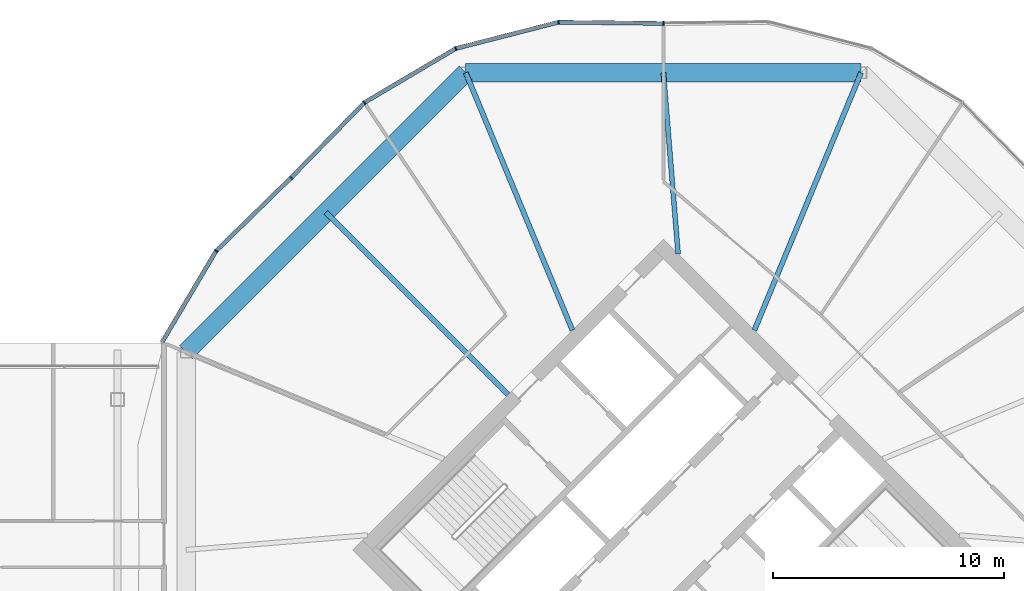
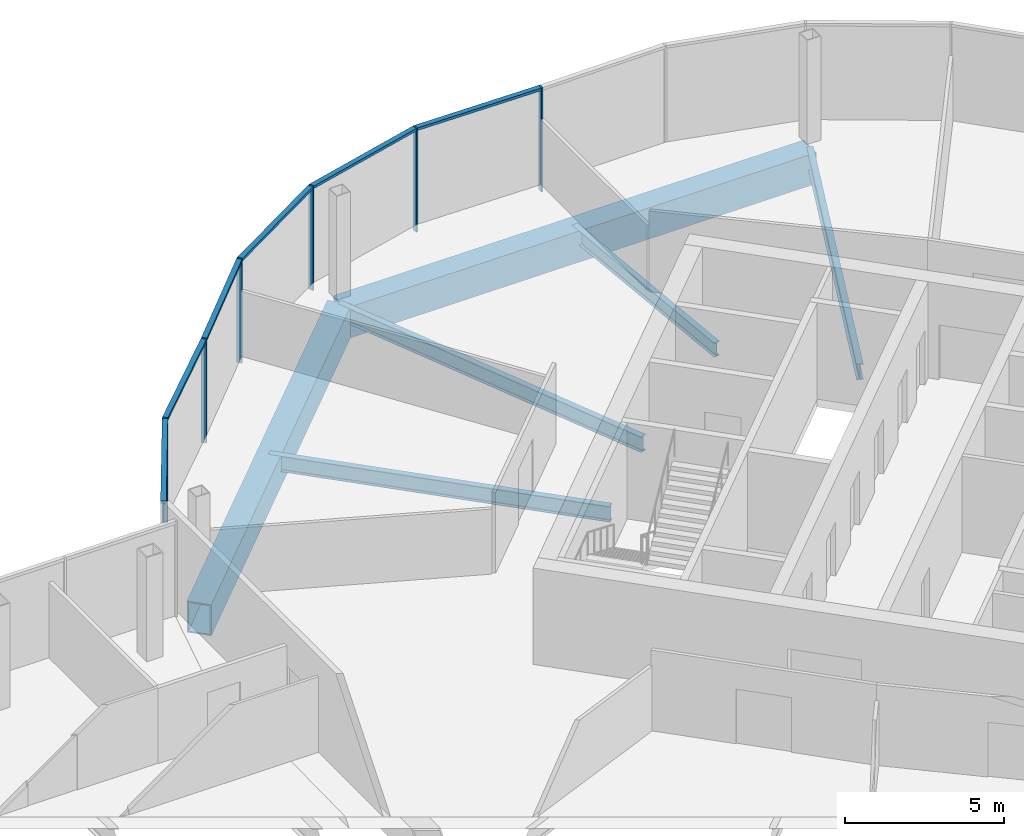
# One storey, part 15 of 25: 12 members, 6 beams, 3 elements without a shape of their own.
"""IFC4 building model written with IfcOpenShell, lengths in metres."""

from ifc_helpers import new_model, si_unit, direction, frame, origin, origin_2d, place, context, subcontext, project, spatial, rectangle, hollow_rectangle, i_section, extrude, material, material_profile, profile_set, type_object, element, aggregate, save


model = new_model("IFC4")

# Units and contexts
model_context = context("Model", 3, precision=1e-05, world=origin(), true_north=direction((0.0, 1.0)))
body_context = subcontext(model_context, "Body", "Model", "MODEL_VIEW")
ifc_project = project(units=[si_unit("LENGTHUNIT", "METRE"), si_unit("AREAUNIT", "SQUARE_METRE"), si_unit("VOLUMEUNIT", "CUBIC_METRE"), si_unit("PLANEANGLEUNIT", "RADIAN"), si_unit("MASSUNIT", "GRAM", prefix="KILO")], contexts=[model_context])

# Site, building, storey
site_placement = place(None, origin())
site = spatial("IfcSite", under=ifc_project, at=site_placement, CompositionType="ELEMENT")
building_placement = place(site_placement, origin())
building = spatial("IfcBuilding", under=site, at=building_placement, Name="Ogive Gate Towers", CompositionType="ELEMENT")
storey_placement = place(building_placement, frame((0.0, 0.0, 140.800048828125)))
storey = spatial("IfcBuildingStorey", under=building, at=storey_placement, Name="L33", CompositionType="ELEMENT", Elevation=140.800048828125)

# Beams
ifc_material_1 = material(Name="Steel SM460", Category="steel")
ifc_material_profile_1 = material_profile(ifc_material_1, hollow_rectangle(XDim=0.800048828125, YDim=1.199951171875, WallThickness=0.050048828125, at=origin_2d()), Name="BX 1200x800x50")
ifc_profile_set_1 = profile_set([ifc_material_profile_1], Name="Steel SM460")
beam_type_1 = type_object("IfcBeamType", Name="Edge girder BX 1200x800x50", PredefinedType="BEAM", material=ifc_profile_set_1)
beam_1_placement = place(storey_placement, frame((44.549072265625, 20.639404296875, -0.900146484375), z_axis=(-1.0, 0.0, 0.0), x_axis=(0.0, -1.0, 0.0)))
element("IfcBeam", 1, at=beam_1_placement, inside=storey, type_object=beam_type_1, Name="T2/L33/SBM022", PredefinedType="BEAM", context=body_context, shape_type="SweptSolid", body=[
    extrude(hollow_rectangle(XDim=0.800048828125, YDim=1.199951171875, WallThickness=0.050048828125, at=origin_2d()), origin(), (0.0, 0.0, 1.0), 17.09814453125),
])
beam_2_placement = place(storey_placement, frame((27.450927734375, 20.639404296875, -0.900146484375), z_axis=(-0.707106781187, -0.707106781187, 0.0), x_axis=(0.707106781187, -0.707106781187, 0.0)))
element("IfcBeam", 2, at=beam_2_placement, inside=storey, type_object=beam_type_1, Name="T2/L33/SBM023", PredefinedType="BEAM", context=body_context, shape_type="SweptSolid", body=[
    extrude(hollow_rectangle(XDim=0.800048828125, YDim=1.199951171875, WallThickness=0.050048828125, at=origin_2d()), origin(), (0.0, 0.0, 1.0), 17.098388671875),
])
ifc_material_2 = material(Name="Steel SM355", Category="steel")
ifc_material_profile_2 = material_profile(ifc_material_2, i_section(OverallWidth=0.2099609375, OverallDepth=0.550048828125, WebThickness=0.010986328125, FlangeThickness=0.01708984375, FilletRadius=0.02392578125, at=origin_2d()), Name="IPE 550")
ifc_profile_set_2 = profile_set([ifc_material_profile_2], Name="Steel SM355")
beam_type_2 = type_object("IfcBeamType", Name="Radial floor beam IPE 550", PredefinedType="BEAM", material=ifc_profile_set_2)
beam_3_placement = place(storey_placement, frame((36.636474609375, 12.798583984375, -0.574951171875), z_axis=(-0.080908365468, 0.996721544062, 0.0), x_axis=(-0.996721544062, -0.080908365468, 0.0)))
element("IfcBeam", 3, at=beam_3_placement, inside=storey, type_object=beam_type_2, Name="T2/L33/SBM012", PredefinedType="BEAM", context=body_context, shape_type="SweptSolid", body=[
    extrude(i_section(OverallWidth=0.2099609375, OverallDepth=0.550048828125, WebThickness=0.010986328125, FlangeThickness=0.01708984375, FilletRadius=0.02392578125, at=origin_2d()), origin(), (0.0, 0.0, 1.0), 7.86669921875),
])
ifc_material_profile_3 = material_profile(ifc_material_2, i_section(OverallWidth=0.219970703125, OverallDepth=0.60009765625, WebThickness=0.011962890625, FlangeThickness=0.01904296875, FilletRadius=0.02392578125, at=origin_2d()), Name="IPE 600")
ifc_profile_set_3 = profile_set([ifc_material_profile_3], Name="Steel SM355")
beam_type_3 = type_object("IfcBeamType", Name="Radial floor beam IPE 600", PredefinedType="BEAM", material=ifc_profile_set_3)
for number, where, z_axis, x_axis, name in (
    (4, (39.93505859375, 9.5, -0.60009765625), (0.382677863518, 0.923881839184, 0.0), (-0.923881839184, 0.382677863518, 0.0), "T2/L33/SBM011"),
    (5, (32.06494140625, 9.5, -0.60009765625), (-0.382677863518, 0.923881839184, 0.0), (-0.923881839184, -0.382677863518, 0.0), "T2/L33/SBM013"),
):
    element("IfcBeam", number, at=place(storey_placement, frame(where, z_axis=z_axis, x_axis=x_axis)), inside=storey, type_object=beam_type_3, Name=name, PredefinedType="BEAM", context=body_context, shape_type="SweptSolid", body=[
        extrude(i_section(OverallWidth=0.219970703125, OverallDepth=0.60009765625, WebThickness=0.011962890625, FlangeThickness=0.01904296875, FilletRadius=0.02392578125, at=origin_2d()), origin(), (0.0, 0.0, 1.0), 12.05712890625),
    ])
beam_4_placement = place(storey_placement, frame((29.282470703125, 6.717529296875, -0.60009765625), z_axis=(-0.707106781187, 0.707106781187, 0.0), x_axis=(-0.707106781187, -0.707106781187, 0.0)))
element("IfcBeam", 6, at=beam_4_placement, inside=storey, type_object=beam_type_3, Name="T2/L33/SBM014", PredefinedType="BEAM", context=body_context, shape_type="SweptSolid", body=[
    extrude(i_section(OverallWidth=0.219970703125, OverallDepth=0.60009765625, WebThickness=0.011962890625, FlangeThickness=0.01904296875, FilletRadius=0.02392578125, at=origin_2d()), origin(), (0.0, 0.0, 1.0), 11.139404296875),
])

# Curtain wall, member
ifc_material_3 = material(Name="Pale metal aluminium", Category="aluminium")
curtain_wall_type = type_object("IfcCurtainWallType", Name="Tower unitised wall, high zone", PredefinedType="NOTDEFINED", material=ifc_material_3)
curtain_wall_1_placement = place(storey_placement, origin())
curtain_wall_1 = element("IfcCurtainWall", 7, at=curtain_wall_1_placement, inside=storey, type_object=curtain_wall_type, Name="CW2 T2 ECW02", PredefinedType="NOTDEFINED")
ifc_material_profile_4 = material_profile(ifc_material_3, rectangle(XDim=0.179931640625, YDim=0.06005859375, at=origin_2d()), Name="60 x 180 aluminium box")
ifc_profile_set_4 = profile_set([ifc_material_profile_4], Name="Pale metal aluminium")
member_type_1 = type_object("IfcMemberType", Name="Tower unitised wall, high zone mullion 60 x 180", PredefinedType="MULLION", material=ifc_profile_set_4)
member_1_placement = place(storey_placement, frame((36.0, 22.77001953125, -0.300048828125), z_axis=(0.0, 0.0, 1.0), x_axis=(-0.012077384797, 0.999927065729, 0.0)))
member_1 = element("IfcMember", 8, at=member_1_placement, type_object=member_type_1, Name="CW2 mullion", PredefinedType="MULLION", context=body_context, shape_type="SweptSolid", body=[
    extrude(rectangle(XDim=0.179931640625, YDim=0.06005859375, at=origin_2d()), origin(), (0.0, 0.0, 1.0), 4.0),
])
aggregate(curtain_wall_1, [member_1])

# Curtain wall, members
curtain_wall_2_placement = place(storey_placement, origin())
curtain_wall_2 = element("IfcCurtainWall", 9, at=curtain_wall_2_placement, inside=storey, type_object=curtain_wall_type, Name="CW2 T2 ECW03", PredefinedType="NOTDEFINED")
member_2_placement = place(storey_placement, frame((31.467041015625, 22.824951171875, -0.300048828125), z_axis=(0.0, 0.0, 1.0), x_axis=(-0.119149147143, 0.992876367296, 0.0)))
member_2 = element("IfcMember", 10, at=member_2_placement, type_object=member_type_1, Name="CW2 mullion", PredefinedType="MULLION", context=body_context, shape_type="SweptSolid", body=[
    extrude(rectangle(XDim=0.179931640625, YDim=0.06005859375, at=origin_2d()), origin(), (0.0, 0.0, 1.0), 4.0),
])
member_3_placement = place(storey_placement, frame((27.01806640625, 21.684326171875, -0.300048828125), z_axis=(0.0, 0.0, 1.0), x_axis=(-0.382683432365, 0.923879532511, 0.0)))
member_3 = element("IfcMember", 11, at=member_3_placement, type_object=member_type_1, Name="CW2 mullion", PredefinedType="MULLION", context=body_context, shape_type="SweptSolid", body=[
    extrude(rectangle(XDim=0.179931640625, YDim=0.06005859375, at=origin_2d()), origin(), (0.0, 0.0, 1.0), 4.0),
])
member_4_placement = place(storey_placement, frame((23.06591796875, 19.344970703125, -0.300048828125), z_axis=(0.0, 0.0, 1.0), x_axis=(-0.617818442277, 0.786320782112, 0.0)))
member_4 = element("IfcMember", 12, at=member_4_placement, type_object=member_type_1, Name="CW2 mullion", PredefinedType="MULLION", context=body_context, shape_type="SweptSolid", body=[
    extrude(rectangle(XDim=0.179931640625, YDim=0.06005859375, at=origin_2d()), origin(), (0.0, 0.0, 1.0), 4.0),
])
member_5_placement = place(storey_placement, frame((19.8994140625, 16.100830078125, -0.300048828125), z_axis=(0.0, 0.0, 1.0), x_axis=(-0.715595209557, 0.69851520818, 0.0)))
member_5 = element("IfcMember", 13, at=member_5_placement, type_object=member_type_1, Name="CW2 mullion", PredefinedType="MULLION", context=body_context, shape_type="SweptSolid", body=[
    extrude(rectangle(XDim=0.179931640625, YDim=0.06005859375, at=origin_2d()), origin(), (0.0, 0.0, 1.0), 4.0),
])

# Curtain wall, member
curtain_wall_3_placement = place(storey_placement, origin())
curtain_wall_3 = element("IfcCurtainWall", 14, at=curtain_wall_3_placement, inside=storey, type_object=curtain_wall_type, Name="CW2 T2 ECW04", PredefinedType="NOTDEFINED")
member_6_placement = place(storey_placement, frame((16.655029296875, 12.93408203125, -0.300048828125), z_axis=(0.0, 0.0, 1.0), x_axis=(-0.786320782112, 0.617818442277, 0.0)))
member_6 = element("IfcMember", 15, at=member_6_placement, type_object=member_type_1, Name="CW2 mullion", PredefinedType="MULLION", context=body_context, shape_type="SweptSolid", body=[
    extrude(rectangle(XDim=0.179931640625, YDim=0.06005859375, at=origin_2d()), origin(), (0.0, 0.0, 1.0), 4.0),
])

# Member
ifc_material_profile_5 = material_profile(ifc_material_3, rectangle(XDim=0.179931640625, YDim=0.10009765625, at=origin_2d()), Name="100 x 180 aluminium box")
ifc_profile_set_5 = profile_set([ifc_material_profile_5], Name="Pale metal aluminium")
member_type_2 = type_object("IfcMemberType", Name="Tower unitised wall, high zone transom 100 x 180", PredefinedType="USERDEFINED", material=ifc_profile_set_5)
member_7_placement = place(storey_placement, frame((35.969970703125, 22.7705078125, 3.64990234375), z_axis=(-0.999927301671, 0.012057834543, 0.0), x_axis=(-0.012057834543, -0.999927301671, 0.0)))
member_7 = element("IfcMember", 16, at=member_7_placement, type_object=member_type_2, Name="CW2 transom", ObjectType="TRANSOM", PredefinedType="USERDEFINED", context=body_context, shape_type="SweptSolid", body=[
    extrude(rectangle(XDim=0.179931640625, YDim=0.10009765625, at=origin_2d()), origin(), (0.0, 0.0, 1.0), 4.474609375),
])

member_8_placement = place(storey_placement, frame((31.439208984375, 22.817626953125, 3.64990234375), z_axis=(-0.968681463012, -0.248306711985, 0.0), x_axis=(0.248306711985, -0.968681463012, 0.0)))
member_8 = element("IfcMember", 17, at=member_8_placement, type_object=member_type_2, Name="CW2 transom", ObjectType="TRANSOM", PredefinedType="USERDEFINED", context=body_context, shape_type="SweptSolid", body=[
    extrude(rectangle(XDim=0.179931640625, YDim=0.10009765625, at=origin_2d()), origin(), (0.0, 0.0, 1.0), 4.53564453125),
])

member_9_placement = place(storey_placement, frame((26.993408203125, 21.669677734375, 3.64990234375), z_axis=(-0.860555494725, -0.509356692799, 0.0), x_axis=(0.509356692799, -0.860555494725, 0.0)))
member_9 = element("IfcMember", 18, at=member_9_placement, type_object=member_type_2, Name="CW2 transom", ObjectType="TRANSOM", PredefinedType="USERDEFINED", context=body_context, shape_type="SweptSolid", body=[
    extrude(rectangle(XDim=0.179931640625, YDim=0.10009765625, at=origin_2d()), origin(), (0.0, 0.0, 1.0), 4.53515625),
])

member_10_placement = place(storey_placement, frame((23.0458984375, 19.32421875, 3.64990234375), z_axis=(-0.698544041781, -0.715567063029, 0.0), x_axis=(0.715567063029, -0.698544041781, 0.0)))
member_10 = element("IfcMember", 19, at=member_10_placement, type_object=member_type_2, Name="CW2 transom", ObjectType="TRANSOM", PredefinedType="USERDEFINED", context=body_context, shape_type="SweptSolid", body=[
    extrude(rectangle(XDim=0.179931640625, YDim=0.10009765625, at=origin_2d()), origin(), (0.0, 0.0, 1.0), 4.474609375),
])

aggregate(curtain_wall_2, [member_2, member_7, member_3, member_8, member_4, member_9, member_5, member_10])

member_11_placement = place(storey_placement, frame((19.877685546875, 16.079833984375, 3.64990234375), z_axis=(-0.715567063029, -0.698544041781, 0.0), x_axis=(0.698544041781, -0.715567063029, 0.0)))
member_11 = element("IfcMember", 20, at=member_11_placement, type_object=member_type_2, Name="CW2 transom", ObjectType="TRANSOM", PredefinedType="USERDEFINED", context=body_context, shape_type="SweptSolid", body=[
    extrude(rectangle(XDim=0.179931640625, YDim=0.10009765625, at=origin_2d()), origin(), (0.0, 0.0, 1.0), 4.474609375),
])

member_12_placement = place(storey_placement, frame((16.640380859375, 12.909423828125, 3.64990234375), z_axis=(-0.509356692799, -0.860555494725, 0.0), x_axis=(0.860555494725, -0.509356692799, 0.0)))
member_12 = element("IfcMember", 21, at=member_12_placement, type_object=member_type_2, Name="CW2 transom", ObjectType="TRANSOM", PredefinedType="USERDEFINED", context=body_context, shape_type="SweptSolid", body=[
    extrude(rectangle(XDim=0.179931640625, YDim=0.10009765625, at=origin_2d()), origin(), (0.0, 0.0, 1.0), 4.53515625),
])

aggregate(curtain_wall_3, [member_6, member_11, member_12])

save(model, "model.ifc")
